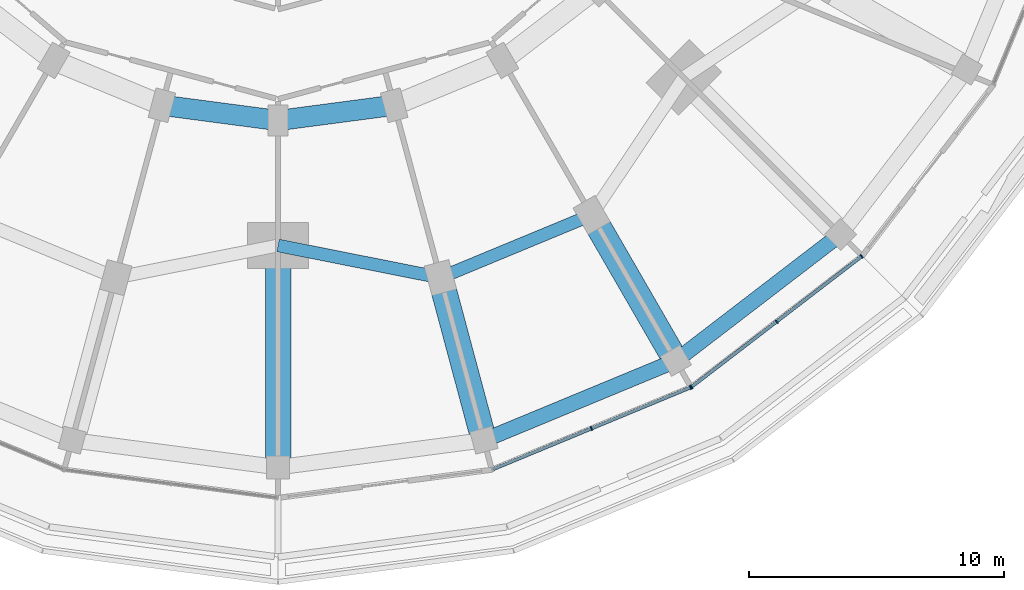
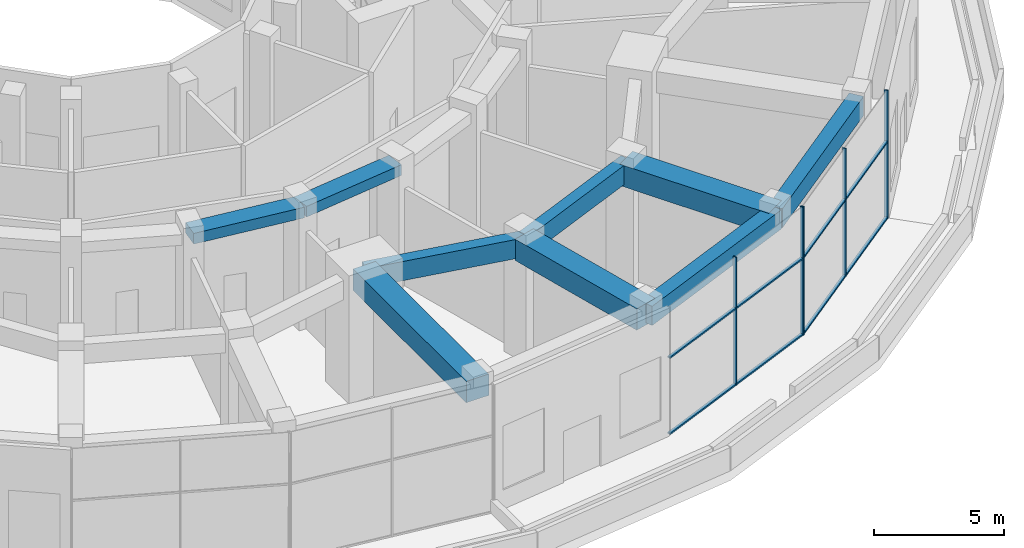
# One storey, part 5 of 23: 13 members, 9 beams, 2 elements without a shape of their own.
"""IFC4 building model written with IfcOpenShell, lengths in metres."""

import ifcopenshell
import ifcopenshell.guid

model = None  # the IFC model being written
_history = None  # IfcOwnerHistory: only IFC2X3 demands one
_inside = {}  # id of a spatial element -> (the spatial element, [elements in it])
_under = {}  # id of a project, library or spatial element -> (it, [spatial elements below it])
_declared = {}  # id of a project -> (the project, [libraries it declares])
_typed = {}  # id of a type object -> (the type object, [elements of that type])
_made_of = {}  # id of a material, layer set ... -> (it, [elements and type objects made of it])


def new_model(schema):
    """Start an empty IFC model of exactly this schema.

    Asked for "IFC4X3", IfcOpenShell would pick the latest addendum, in which some entities
    have other attributes; the version numbers below select the first issue.
    IFC2X3 requires an IfcOwnerHistory on every rooted entity: one is made here for all.
    """
    global model, _history
    if schema == "IFC4X3":
        model = ifcopenshell.file(schema_version=(4, 3, 0, 0))
    else:
        model = ifcopenshell.file(schema=schema)
    _inside.clear()
    _under.clear()
    _declared.clear()
    _typed.clear()
    _made_of.clear()
    _history = None
    if model.schema == "IFC2X3":
        org = make("IfcOrganization", Name="unknown")
        user = make(
            "IfcPersonAndOrganization",
            ThePerson=make("IfcPerson", FamilyName="unknown"),
            TheOrganization=org,
        )
        app = make(
            "IfcApplication",
            ApplicationDeveloper=org,
            Version="unknown",
            ApplicationFullName="unknown",
            ApplicationIdentifier="unknown",
        )
        _history = make(
            "IfcOwnerHistory",
            OwningUser=user,
            OwningApplication=app,
            ChangeAction="ADDED",
            CreationDate=0,
        )
    return model


def make(cls, **values):
    """One entity of the class cls with the attributes given. An attribute that is None is left unset."""
    return model.create_entity(
        cls, **{name: value for name, value in values.items() if value is not None}
    )


def rooted(cls, **values):
    """An entity with a GlobalId (a new one), such as an element, a storey or a relation."""
    return make(cls, GlobalId=ifcopenshell.guid.new(), OwnerHistory=_history, **values)


def si_unit(unit_type, name, prefix=None):
    """IfcSIUnit, for example si_unit("LENGTHUNIT", "METRE", prefix="MILLI")."""
    return make("IfcSIUnit", UnitType=unit_type, Prefix=prefix, Name=name)


def assignment(units):
    """IfcUnitAssignment: the units of a project."""
    return None if units is None else make("IfcUnitAssignment", Units=units)


def point(xyz):
    """IfcCartesianPoint."""
    return None if xyz is None else make("IfcCartesianPoint", Coordinates=xyz)


def direction(xyz):
    """IfcDirection."""
    return None if xyz is None else make("IfcDirection", DirectionRatios=xyz)


def frame(location, z_axis=None, x_axis=None):
    """IfcAxis2Placement3D, a coordinate frame: its origin and axes. An axis left out is left unset."""
    return make(
        "IfcAxis2Placement3D",
        Location=point(location),
        Axis=direction(z_axis),
        RefDirection=direction(x_axis),
    )


def frame_2d(location, x_axis=None):
    """IfcAxis2Placement2D, a coordinate frame in the plane: its origin and x axis."""
    return make(
        "IfcAxis2Placement2D", Location=point(location), RefDirection=direction(x_axis)
    )


def origin():
    """The frame at (0, 0, 0) with its axes left unset."""
    return frame((0.0, 0.0, 0.0))


def origin_2d():
    """The frame at (0, 0) in the plane with its x axis left unset."""
    return frame_2d((0.0, 0.0))


def place(relative_to, where):
    """IfcLocalPlacement: puts the frame where relative to a parent placement (None: the world)."""
    return make(
        "IfcLocalPlacement", PlacementRelTo=relative_to, RelativePlacement=where
    )


def context(
    kind, dimensions, precision=None, world=None, true_north=None, identifier=None
):
    """IfcGeometricRepresentationContext, for example the 3D "Model" context."""
    return make(
        "IfcGeometricRepresentationContext",
        ContextIdentifier=identifier,
        ContextType=kind,
        CoordinateSpaceDimension=dimensions,
        Precision=precision,
        WorldCoordinateSystem=world,
        TrueNorth=true_north,
    )


def subcontext(parent, identifier, kind, view, scale=None):
    """IfcGeometricRepresentationSubContext, for example "Body" below "Model"."""
    return make(
        "IfcGeometricRepresentationSubContext",
        ContextIdentifier=identifier,
        ContextType=kind,
        ParentContext=parent,
        TargetScale=scale,
        TargetView=view,
    )


def project(units=None, contexts=None):
    """IfcProject with its units and contexts."""
    return rooted(
        "IfcProject",
        Name="project",
        RepresentationContexts=contexts,
        UnitsInContext=assignment(units),
    )


def spatial(cls, under=None, at=None, **own):
    """A site, building, storey or space (cls), placed at a placement, below another one or the project."""
    s = rooted(cls, ObjectPlacement=at, **own)
    if under is not None:
        _under.setdefault(under.id(), (under, []))[1].append(s)
    return s


def profile(cls, at=None, kind="AREA", **sizes):
    """A parametric profile (cls). Its sizes go by their IFC names, for example OverallWidth=200.0."""
    return make(cls, ProfileType=kind, Position=at, **sizes)


def rectangle(**sizes):
    """IfcRectangleProfileDef."""
    return profile("IfcRectangleProfileDef", **sizes)


def extrude(swept, where, along, depth):
    """IfcExtrudedAreaSolid: the profile swept, set in the frame where, extruded along a direction by depth."""
    return make(
        "IfcExtrudedAreaSolid",
        SweptArea=swept,
        Position=where,
        ExtrudedDirection=direction(along),
        Depth=depth,
    )


def shape(context_of_items, identifier, shape_type, items):
    """IfcShapeRepresentation: the items that make up one representation, for example the "Body"."""
    return make(
        "IfcShapeRepresentation",
        ContextOfItems=context_of_items,
        RepresentationIdentifier=identifier,
        RepresentationType=shape_type,
        Items=items,
    )


def material(Name=None, Category=None):
    """IfcMaterial."""
    return make("IfcMaterial", Name=Name, Category=Category)


def layer(
    of_material, thickness, ventilated=None, Name=None, Category=None, Priority=None
):
    """IfcMaterialLayer: one layer of a wall or slab, of a material (None: an air gap)."""
    return make(
        "IfcMaterialLayer",
        Material=of_material,
        LayerThickness=thickness,
        IsVentilated=ventilated,
        Name=Name,
        Category=Category,
        Priority=Priority,
    )


def layer_set(layers, Name=None):
    """IfcMaterialLayerSet."""
    return make("IfcMaterialLayerSet", MaterialLayers=layers, LayerSetName=Name)


def material_profile(
    of_material, cross_section, Name=None, Category=None, Priority=None
):
    """IfcMaterialProfile: a cross section and its material."""
    return make(
        "IfcMaterialProfile",
        Name=Name,
        Material=of_material,
        Profile=cross_section,
        Priority=Priority,
        Category=Category,
    )


def profile_set(profiles, Name=None, composite=None):
    """IfcMaterialProfileSet."""
    return make(
        "IfcMaterialProfileSet",
        Name=Name,
        MaterialProfiles=profiles,
        CompositeProfile=composite,
    )


def made_of(thing, what):
    """Note that an element or type object is made of a material, layer set ...; save() writes the relation."""
    if what is not None:
        _made_of.setdefault(what.id(), (what, []))[1].append(thing)
    return thing


def type_object(cls, material=None, **own):
    """A type object (cls), such as IfcWallType, which elements share."""
    return made_of(rooted(cls, **own), material)


def element(
    cls,
    number,
    at=None,
    inside=None,
    cuts=None,
    type_object=None,
    material=None,
    context=None,
    identifier="Body",
    shape_type=None,
    held_by="IfcProductDefinitionShape",
    body=None,
    shapes=None,
    **own,
):
    """One element of the class cls, such as IfcWall. Its Tag is "e" and its number.

    at: its placement. inside: the storey or other place that contains it. cuts: it is an
    opening in that element (IfcRelVoidsElement). A single representation is given by context,
    identifier, shape_type and body (its items); several are given by shapes. held_by: the class
    of the entity that holds the representations. save() writes the other relations.
    """
    e = rooted(cls, Tag="e%d" % number, ObjectPlacement=at, **own)
    if body is not None:
        shapes = [shape(context, identifier, shape_type, body)]
    if shapes is not None:
        e.Representation = make(held_by, Representations=shapes)
    if inside is not None:
        _inside.setdefault(inside.id(), (inside, []))[1].append(e)
    if cuts is not None:
        rooted(
            "IfcRelVoidsElement", RelatingBuildingElement=cuts, RelatedOpeningElement=e
        )
    if type_object is not None:
        _typed.setdefault(type_object.id(), (type_object, []))[1].append(e)
    return made_of(e, material)


def aggregate(whole, parts):
    """IfcRelAggregates: a whole, such as a stair, and the parts it consists of."""
    return rooted("IfcRelAggregates", RelatingObject=whole, RelatedObjects=parts)


def save(model, path):
    """Write the relations noted so far, then the file.

    IfcRelAggregates (storeys below a building ...), IfcRelContainedInSpatialStructure (elements
    in a storey), IfcRelDefinesByType, IfcRelAssociatesMaterial and IfcRelDeclares: one each for
    every whole, place, type object, material and project.
    """
    for whole, parts in _under.values():
        aggregate(whole, parts)
    for where, things in _inside.values():
        rooted(
            "IfcRelContainedInSpatialStructure",
            RelatedElements=things,
            RelatingStructure=where,
        )
    for kind, things in _typed.values():
        rooted("IfcRelDefinesByType", RelatedObjects=things, RelatingType=kind)
    for what, things in _made_of.values():
        rooted("IfcRelAssociatesMaterial", RelatedObjects=things, RelatingMaterial=what)
    for by, libraries in _declared.values():
        rooted("IfcRelDeclares", RelatingContext=by, RelatedDefinitions=libraries)
    model.write(path)


model = new_model("IFC4")

# Units and contexts
model_context = context("Model", 3, precision=1e-05, world=origin(), true_north=direction((0.0, 1.0)))
body_context = subcontext(model_context, "Body", "Model", "MODEL_VIEW")
ifc_project = project(units=[si_unit("LENGTHUNIT", "METRE"), si_unit("AREAUNIT", "SQUARE_METRE"), si_unit("VOLUMEUNIT", "CUBIC_METRE"), si_unit("PLANEANGLEUNIT", "RADIAN"), si_unit("MASSUNIT", "GRAM", prefix="KILO")], contexts=[model_context])

# Site, building, storey
site_placement = place(None, origin())
site = spatial("IfcSite", under=ifc_project, at=site_placement, CompositionType="ELEMENT")
building_placement = place(site_placement, origin())
building = spatial("IfcBuilding", under=site, at=building_placement, Name="Torre Brocal", CompositionType="ELEMENT")
storey_placement = place(building_placement, frame((0.0, 0.0, 17.800048828125)))
storey = spatial("IfcBuildingStorey", under=building, at=storey_placement, Name="L03", CompositionType="ELEMENT", Elevation=17.800048828125)

# Curtain wall, members
ifc_material_1 = material(Name="Aluminium and glass", Category="aluminium")
ifc_layer = layer(ifc_material_1, 0.199951171875)
ifc_layer_set = layer_set([ifc_layer], Name="Aluminium and glass")
curtain_wall_type = type_object("IfcCurtainWallType", Name="CW-6 CURTAIN WALL 6000 HIGH", PredefinedType="NOTDEFINED", material=ifc_layer_set)
curtain_wall_1_placement = place(storey_placement, origin())
curtain_wall_1 = element("IfcCurtainWall", 1, at=curtain_wall_1_placement, inside=storey, type_object=curtain_wall_type, Name="CW-6 RUN 20", PredefinedType="NOTDEFINED")
ifc_material_2 = material(Name="Aluminium, dark anodised", Category="aluminium")
ifc_material_profile_1 = material_profile(ifc_material_2, rectangle(XDim=0.159912109375, YDim=0.050048828125, at=origin_2d()), Name="CW-6 MULLION 50X160")
ifc_profile_set_1 = profile_set([ifc_material_profile_1], Name="Aluminium, dark anodised")
member_type_1 = type_object("IfcMemberType", Name="CW-6 MULLION 50X160", PredefinedType="MULLION", material=ifc_profile_set_1)
member_1_placement = place(storey_placement, frame((92.29248046875, 45.3232421875, 0.0), z_axis=(0.0, 0.0, 1.0), x_axis=(-0.382683432301, 0.923879532538, 0.0)))
member_1 = element("IfcMember", 2, at=member_1_placement, type_object=member_type_1, Name="CW6-2 mullion 2", PredefinedType="MULLION", context=body_context, shape_type="SweptSolid", body=[
    extrude(rectangle(XDim=0.159912109375, YDim=0.050048828125, at=origin_2d()), origin(), (0.0, 0.0, 1.0), 6.0),
])
member_2_placement = place(storey_placement, frame((96.176513671875, 46.931884765625, 0.0), z_axis=(0.0, 0.0, 1.0), x_axis=(-0.382683432301, 0.923879532538, 0.0)))
member_2 = element("IfcMember", 3, at=member_2_placement, type_object=member_type_1, Name="CW6-2 mullion 3", PredefinedType="MULLION", context=body_context, shape_type="SweptSolid", body=[
    extrude(rectangle(XDim=0.159912109375, YDim=0.050048828125, at=origin_2d()), origin(), (0.0, 0.0, 1.0), 6.0),
])

curtain_wall_2_placement = place(storey_placement, origin())
curtain_wall_2 = element("IfcCurtainWall", 4, at=curtain_wall_2_placement, inside=storey, type_object=curtain_wall_type, Name="CW-6 RUN 21", PredefinedType="NOTDEFINED")
member_3_placement = place(storey_placement, frame((96.219482421875, 46.956787109375, 0.0), z_axis=(0.0, 0.0, 1.0), x_axis=(-0.608761429009, 0.793353340291, 0.0)))
member_3 = element("IfcMember", 5, at=member_3_placement, type_object=member_type_1, Name="CW6-2 mullion 1", PredefinedType="MULLION", context=body_context, shape_type="SweptSolid", body=[
    extrude(rectangle(XDim=0.159912109375, YDim=0.050048828125, at=origin_2d()), origin(), (0.0, 0.0, 1.0), 6.0),
])
member_4_placement = place(storey_placement, frame((99.5546875, 49.515869140625, 0.0), z_axis=(0.0, 0.0, 1.0), x_axis=(-0.608761429009, 0.793353340291, 0.0)))
member_4 = element("IfcMember", 6, at=member_4_placement, type_object=member_type_1, Name="CW6-2 mullion 2", PredefinedType="MULLION", context=body_context, shape_type="SweptSolid", body=[
    extrude(rectangle(XDim=0.159912109375, YDim=0.050048828125, at=origin_2d()), origin(), (0.0, 0.0, 1.0), 6.0),
])
member_5_placement = place(storey_placement, frame((102.889892578125, 52.0751953125, 0.0), z_axis=(0.0, 0.0, 1.0), x_axis=(-0.608761429009, 0.793353340291, 0.0)))
member_5 = element("IfcMember", 7, at=member_5_placement, type_object=member_type_1, Name="CW6-2 mullion 3", PredefinedType="MULLION", context=body_context, shape_type="SweptSolid", body=[
    extrude(rectangle(XDim=0.159912109375, YDim=0.050048828125, at=origin_2d()), origin(), (0.0, 0.0, 1.0), 6.0),
])

# Member
ifc_material_3 = material(Name="Aluminium, dark anodised", Category="aluminium")
ifc_material_profile_2 = material_profile(ifc_material_3, rectangle(XDim=0.1298828125, YDim=0.070068359375, at=origin_2d()), Name="CW-6 TRANSOM 130X70")
ifc_profile_set_2 = profile_set([ifc_material_profile_2], Name="Aluminium, dark anodised")
member_type_2 = type_object("IfcMemberType", Name="CW-6 TRANSOM 130X70", PredefinedType="USERDEFINED", material=ifc_profile_set_2)
member_6_placement = place(storey_placement, frame((88.431640625, 43.723876953125, 0.034912109375), z_axis=(0.923867838001, 0.38271166419, 0.0), x_axis=(-0.38271166419, 0.923867838001, 0.0)))
member_6 = element("IfcMember", 8, at=member_6_placement, type_object=member_type_2, Name="CW6-2 transom 1.1", ObjectType="TRANSOM", PredefinedType="USERDEFINED", context=body_context, shape_type="SweptSolid", body=[
    extrude(rectangle(XDim=0.1298828125, YDim=0.070068359375, at=origin_2d()), origin(), (0.0, 0.0, 1.0), 4.154052734375),
])

member_7_placement = place(storey_placement, frame((88.431640625, 43.723876953125, 3.599853515625), z_axis=(0.923867838001, 0.38271166419, 0.0), x_axis=(-0.38271166419, 0.923867838001, 0.0)))
member_7 = element("IfcMember", 9, at=member_7_placement, type_object=member_type_2, Name="CW6-2 transom 1.2", ObjectType="TRANSOM", PredefinedType="USERDEFINED", context=body_context, shape_type="SweptSolid", body=[
    extrude(rectangle(XDim=0.1298828125, YDim=0.070068359375, at=origin_2d()), origin(), (0.0, 0.0, 1.0), 4.154052734375),
])

member_8_placement = place(storey_placement, frame((92.315673828125, 45.332763671875, 0.034912109375), z_axis=(0.923880010179, 0.38268227917, 0.0), x_axis=(-0.38268227917, 0.923880010179, 0.0)))
member_8 = element("IfcMember", 10, at=member_8_placement, type_object=member_type_2, Name="CW6-2 transom 2.1", ObjectType="TRANSOM", PredefinedType="USERDEFINED", context=body_context, shape_type="SweptSolid", body=[
    extrude(rectangle(XDim=0.1298828125, YDim=0.070068359375, at=origin_2d()), origin(), (0.0, 0.0, 1.0), 4.15380859375),
])

member_9_placement = place(storey_placement, frame((92.315673828125, 45.332763671875, 3.599853515625), z_axis=(0.923880010179, 0.38268227917, 0.0), x_axis=(-0.38268227917, 0.923880010179, 0.0)))
member_9 = element("IfcMember", 11, at=member_9_placement, type_object=member_type_2, Name="CW6-2 transom 2.2", ObjectType="TRANSOM", PredefinedType="USERDEFINED", context=body_context, shape_type="SweptSolid", body=[
    extrude(rectangle(XDim=0.1298828125, YDim=0.070068359375, at=origin_2d()), origin(), (0.0, 0.0, 1.0), 4.15380859375),
])

aggregate(curtain_wall_1, [member_1, member_2, member_6, member_7, member_8, member_9])

member_10_placement = place(storey_placement, frame((96.2392578125, 46.971923828125, 0.034912109375), z_axis=(0.793335731777, 0.608784376185, 0.0), x_axis=(-0.608784376185, 0.793335731777, 0.0)))
member_10 = element("IfcMember", 12, at=member_10_placement, type_object=member_type_2, Name="CW6-2 transom 1.1", ObjectType="TRANSOM", PredefinedType="USERDEFINED", context=body_context, shape_type="SweptSolid", body=[
    extrude(rectangle(XDim=0.1298828125, YDim=0.070068359375, at=origin_2d()), origin(), (0.0, 0.0, 1.0), 4.15380859375),
])

member_11_placement = place(storey_placement, frame((96.2392578125, 46.971923828125, 3.599853515625), z_axis=(0.793335731777, 0.608784376185, 0.0), x_axis=(-0.608784376185, 0.793335731777, 0.0)))
member_11 = element("IfcMember", 13, at=member_11_placement, type_object=member_type_2, Name="CW6-2 transom 1.2", ObjectType="TRANSOM", PredefinedType="USERDEFINED", context=body_context, shape_type="SweptSolid", body=[
    extrude(rectangle(XDim=0.1298828125, YDim=0.070068359375, at=origin_2d()), origin(), (0.0, 0.0, 1.0), 4.15380859375),
])

member_12_placement = place(storey_placement, frame((99.574462890625, 49.53125, 0.034912109375), z_axis=(0.793364118185, 0.608747382727, 0.0), x_axis=(-0.608747382727, 0.793364118185, 0.0)))
member_12 = element("IfcMember", 14, at=member_12_placement, type_object=member_type_2, Name="CW6-2 transom 2.1", ObjectType="TRANSOM", PredefinedType="USERDEFINED", context=body_context, shape_type="SweptSolid", body=[
    extrude(rectangle(XDim=0.1298828125, YDim=0.070068359375, at=origin_2d()), origin(), (0.0, 0.0, 1.0), 4.15380859375),
])

member_13_placement = place(storey_placement, frame((99.574462890625, 49.53125, 3.599853515625), z_axis=(0.793364118185, 0.608747382727, 0.0), x_axis=(-0.608747382727, 0.793364118185, 0.0)))
member_13 = element("IfcMember", 15, at=member_13_placement, type_object=member_type_2, Name="CW6-2 transom 2.2", ObjectType="TRANSOM", PredefinedType="USERDEFINED", context=body_context, shape_type="SweptSolid", body=[
    extrude(rectangle(XDim=0.1298828125, YDim=0.070068359375, at=origin_2d()), origin(), (0.0, 0.0, 1.0), 4.15380859375),
])

aggregate(curtain_wall_2, [member_3, member_4, member_5, member_10, member_11, member_12, member_13])

# Beams
ifc_material_4 = material(Name="Concrete C50", Category="concrete")
ifc_material_profile_3 = material_profile(ifc_material_4, rectangle(XDim=0.60009765625, YDim=0.89990234375, at=origin_2d()), Name="RC 600X900")
ifc_profile_set_3 = profile_set([ifc_material_profile_3], Name="Concrete C50")
beam_type_1 = type_object("IfcBeamType", Name="RC BEAM 600X900 C50 TOP 5550", PredefinedType="BEAM", material=ifc_profile_set_3)
beam_1_placement = place(storey_placement, frame((88.0751953125, 44.863037109375, 5.099853515625), z_axis=(0.923878371212, 0.382686235977, 0.0), x_axis=(-0.382686235977, 0.923878371212, 0.0)))
element("IfcBeam", 16, at=beam_1_placement, inside=storey, type_object=beam_type_1, Name="Beam BT-13", PredefinedType="BEAM", context=body_context, shape_type="SweptSolid", body=[
    extrude(rectangle(XDim=0.60009765625, YDim=0.89990234375, at=origin_2d()), origin(), (0.0, 0.0, 1.0), 8.14501953125),
])
beam_2_placement = place(storey_placement, frame((95.60009765625, 47.97998046875, 5.099853515625), z_axis=(0.793351073076, 0.608764383689, 0.0), x_axis=(-0.608764383689, 0.793351073076, 0.0)))
element("IfcBeam", 17, at=beam_2_placement, inside=storey, type_object=beam_type_1, Name="Beam BT-13", PredefinedType="BEAM", context=body_context, shape_type="SweptSolid", body=[
    extrude(rectangle(XDim=0.60009765625, YDim=0.89990234375, at=origin_2d()), origin(), (0.0, 0.0, 1.0), 8.144775390625),
])
ifc_material_5 = material(Name="Concrete C50", Category="concrete")
ifc_material_profile_4 = material_profile(ifc_material_5, rectangle(XDim=0.800048828125, YDim=0.5, at=origin_2d()), Name="RC 800X500")
ifc_profile_set_4 = profile_set([ifc_material_profile_4], Name="Concrete C50")
beam_type_2 = type_object("IfcBeamType", Name="RC BEAM 800X500 C50 TOP 5550", PredefinedType="BEAM", material=ifc_profile_set_4)
for number, where, z_axis, x_axis, name in (
    (18, (75.44482421875, 57.999755859375, 5.300048828125), (0.991440544449, -0.130558978332, 0.0), (0.130558978332, 0.991440544449, 0.0), "Beam BT-14"),
    (19, (80.0, 57.39990234375, 5.300048828125), (0.991440544449, 0.130558978332, 0.0), (-0.130558978332, 0.991440544449, 0.0), "Beam BT-14"),
):
    element("IfcBeam", number, at=place(storey_placement, frame(where, z_axis=z_axis, x_axis=x_axis)), inside=storey, type_object=beam_type_2, Name=name, PredefinedType="BEAM", context=body_context, shape_type="SweptSolid", body=[
        extrude(rectangle(XDim=0.800048828125, YDim=0.5, at=origin_2d()), origin(), (0.0, 0.0, 1.0), 4.594482421875),
    ])
ifc_material_6 = material(Name="Concrete C50", Category="concrete")
ifc_material_profile_5 = material_profile(ifc_material_6, rectangle(XDim=0.5, YDim=0.89990234375, at=origin_2d()), Name="RC 500X900")
ifc_profile_set_5 = profile_set([ifc_material_profile_5], Name="Concrete C50")
beam_type_3 = type_object("IfcBeamType", Name="RC SPANDREL BEAM 500X900 C50 TOP 5550", PredefinedType="SPANDREL", material=ifc_profile_set_5)
beam_3_placement = place(storey_placement, frame((80.0, 52.5, 5.099853515625), z_axis=(0.980924907484, -0.194387051723, 0.0), x_axis=(0.194387051723, 0.980924907484, 0.0)))
element("IfcBeam", 20, at=beam_3_placement, inside=storey, type_object=beam_type_3, Name="Beam BT-15", PredefinedType="SPANDREL", context=body_context, shape_type="SweptSolid", body=[
    extrude(rectangle(XDim=0.5, YDim=0.89990234375, at=origin_2d()), origin(), (0.0, 0.0, 1.0), 6.49072265625),
])
beam_4_placement = place(storey_placement, frame((86.366943359375, 51.23828125, 5.099853515625), z_axis=(0.923882462513, 0.382676358639, 0.0), x_axis=(-0.382676358639, 0.923882462513, 0.0)))
element("IfcBeam", 21, at=beam_4_placement, inside=storey, type_object=beam_type_3, Name="Beam BT-15", PredefinedType="SPANDREL", context=body_context, shape_type="SweptSolid", body=[
    extrude(rectangle(XDim=0.5, YDim=0.89990234375, at=origin_2d()), origin(), (0.0, 0.0, 1.0), 6.421875),
])
ifc_material_7 = material(Name="Concrete C60", Category="concrete")
ifc_material_profile_6 = material_profile(ifc_material_7, rectangle(XDim=1.0, YDim=1.0, at=origin_2d()), Name="RC 1000X1000")
ifc_profile_set_6 = profile_set([ifc_material_profile_6], Name="Concrete C60")
beam_type_4 = type_object("IfcBeamType", Name="RC TRANSFER GIRDER 1000X1000 C60 TOP 5550", PredefinedType="BEAM", material=ifc_profile_set_6)
beam_5_placement = place(storey_placement, frame((80.0, 52.5, 5.050048828125), z_axis=(0.0, -1.0, 0.0), x_axis=(1.0, 0.0, 0.0)))
element("IfcBeam", 22, at=beam_5_placement, inside=storey, type_object=beam_type_4, Name="Beam TG-04", PredefinedType="BEAM", context=body_context, shape_type="SweptSolid", body=[
    extrude(rectangle(XDim=1.0, YDim=1.0, at=origin_2d()), origin(), (0.0, 0.0, 1.0), 8.699951171875),
])
for number, where, z_axis, x_axis, name in (
    (23, (86.366943359375, 51.23828125, 5.050048828125), (0.258820520092, -0.965925431066, 0.0), (0.965925431066, 0.258820520092, 0.0), "Beam TG-04"),
    (24, (92.300048828125, 53.69580078125, 5.050048828125), (0.500002094529, -0.866024194504, 0.0), (0.866024194504, 0.500002094529, 0.0), "Beam TG-04"),
):
    element("IfcBeam", number, at=place(storey_placement, frame(where, z_axis=z_axis, x_axis=x_axis)), inside=storey, type_object=beam_type_4, Name=name, PredefinedType="BEAM", context=body_context, shape_type="SweptSolid", body=[
        extrude(rectangle(XDim=1.0, YDim=1.0, at=origin_2d()), origin(), (0.0, 0.0, 1.0), 6.60009765625),
    ])

save(model, "model.ifc")
